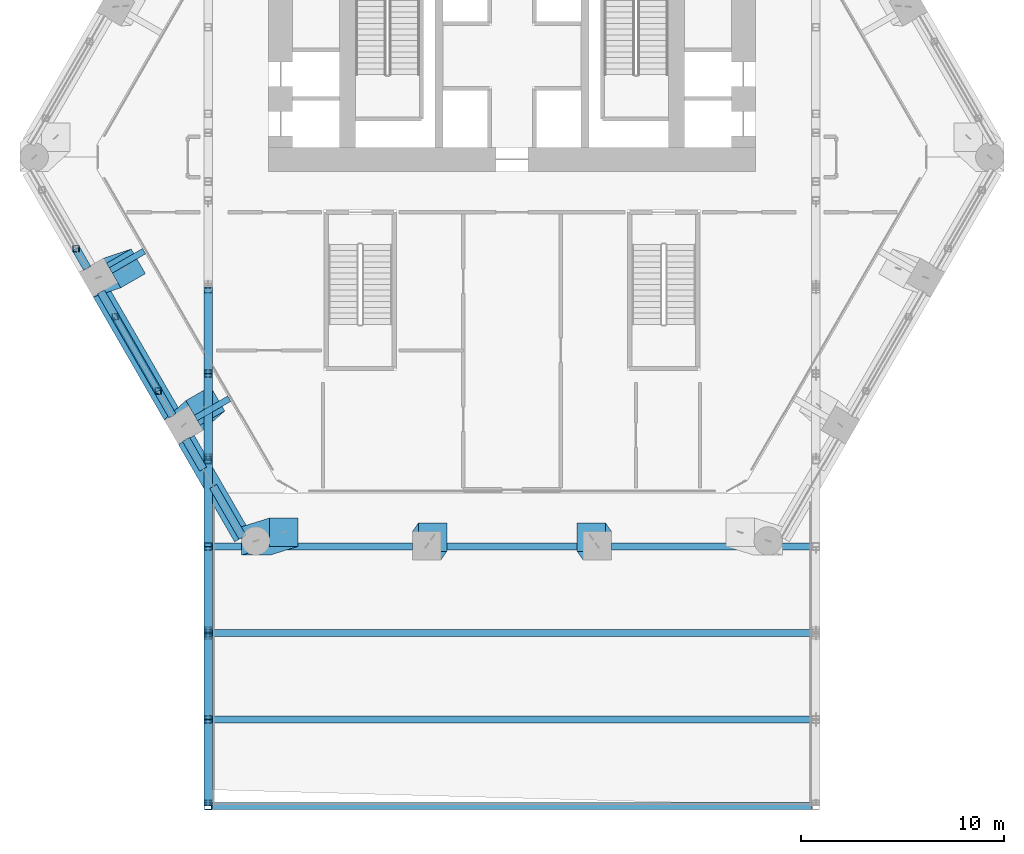
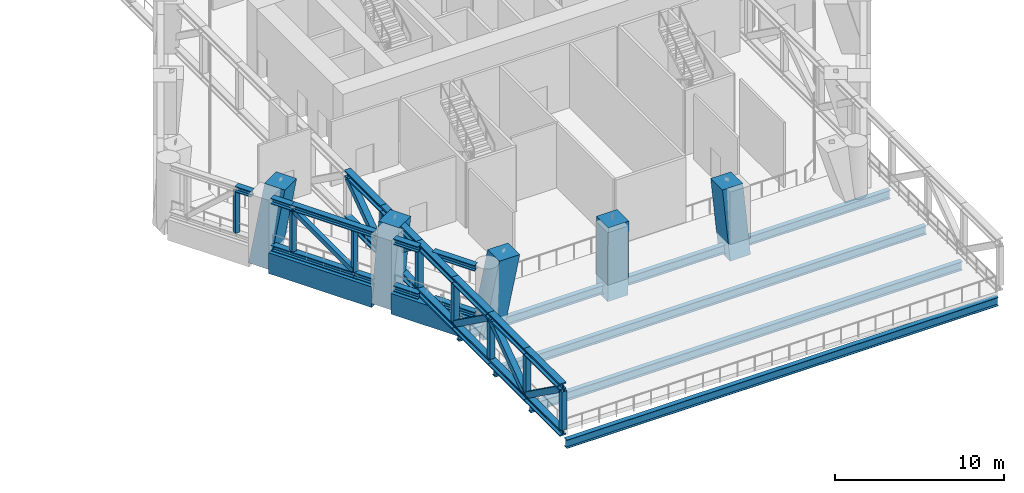
# One storey, part 2 of 20: 41 members, 8 beams.
"""IFC4 building model written with IfcOpenShell, lengths in metres."""

from ifc_helpers import new_model, si_unit, direction, frame, origin, origin_2d, place, context, subcontext, project, spatial, rectangle, hollow_rectangle, i_section, extrude, material, material_profile, profile_set, type_object, element, save


model = new_model("IFC4")

# Units and contexts
model_context = context("Model", 3, precision=1e-05, world=origin(), true_north=direction((0.0, 1.0)))
body_context = subcontext(model_context, "Body", "Model", "MODEL_VIEW")
ifc_project = project(units=[si_unit("LENGTHUNIT", "METRE"), si_unit("AREAUNIT", "SQUARE_METRE"), si_unit("VOLUMEUNIT", "CUBIC_METRE"), si_unit("PLANEANGLEUNIT", "RADIAN"), si_unit("MASSUNIT", "GRAM", prefix="KILO")], contexts=[model_context])

# Site, building, storey
site_placement = place(None, origin())
site = spatial("IfcSite", under=ifc_project, at=site_placement, CompositionType="ELEMENT")
building_placement = place(site_placement, origin())
building = spatial("IfcBuilding", under=site, at=building_placement, Name="Ostrander Bayou Hotel Tower", CompositionType="ELEMENT")
storey_placement = place(building_placement, frame((0.0, 0.0, 80.5)))
storey = spatial("IfcBuildingStorey", under=building, at=storey_placement, Name="L20", CompositionType="ELEMENT", Elevation=80.5)

# Members
ifc_material_1 = material(Name="Steel ASTM A992", Category="steel")
ifc_material_profile_1 = material_profile(ifc_material_1, i_section(OverallWidth=0.403564453125, OverallDepth=0.407470703125, WebThickness=0.027099609375, FlangeThickness=0.043701171875, at=origin_2d()))
ifc_profile_set_1 = profile_set([ifc_material_profile_1], Name="Steel ASTM A992")
member_type_1 = type_object("IfcMemberType", Name="BT1 belt truss chord W14x233", PredefinedType="CHORD", material=ifc_profile_set_1)
member_1_placement = place(storey_placement, frame((-21.479248046875, -5.49658203125, 3.59619140625), z_axis=(0.499886869675, -0.866090709757, 0.0), x_axis=(0.866090709757, 0.499886869675, 0.0)))
element("IfcMember", 1, at=member_1_placement, inside=storey, type_object=member_type_1, Name="BT1 L20 SW-1T2", PredefinedType="CHORD", context=body_context, shape_type="SweptSolid", body=[
    extrude(i_section(OverallWidth=0.403564453125, OverallDepth=0.407470703125, WebThickness=0.027099609375, FlangeThickness=0.043701171875, at=origin_2d()), origin(), (0.0, 0.0, 1.0), 1.114013671875),
])
member_2_placement = place(storey_placement, frame((-20.252197265625, -7.621826171875, 0.20361328125), z_axis=(0.499993457821, -0.866029180881, 0.0), x_axis=(0.866029180881, 0.499993457821, 0.0)))
element("IfcMember", 2, at=member_2_placement, inside=storey, type_object=member_type_1, Name="BT1 L20 SW-2B1", PredefinedType="CHORD", context=body_context, shape_type="SweptSolid", body=[
    extrude(i_section(OverallWidth=0.403564453125, OverallDepth=0.407470703125, WebThickness=0.027099609375, FlangeThickness=0.043701171875, at=origin_2d()), origin(), (0.0, 0.0, 1.0), 5.640625),
])
member_3_placement = place(storey_placement, frame((-17.431884765625, -12.5068359375, 0.20361328125), z_axis=(0.500012199891, -0.86601836006, 0.0), x_axis=(0.86601836006, 0.500012199891, 0.0)))
element("IfcMember", 3, at=member_3_placement, inside=storey, type_object=member_type_1, Name="BT1 L20 SW-2B2", PredefinedType="CHORD", context=body_context, shape_type="SweptSolid", body=[
    extrude(i_section(OverallWidth=0.403564453125, OverallDepth=0.407470703125, WebThickness=0.027099609375, FlangeThickness=0.043701171875, at=origin_2d()), origin(), (0.0, 0.0, 1.0), 1.41015625),
])
member_4_placement = place(storey_placement, frame((-20.252197265625, -7.621826171875, 3.59619140625), z_axis=(0.499882334327, -0.866093327435, 0.0), x_axis=(0.866093327435, 0.499882334327, 0.0)))
element("IfcMember", 4, at=member_4_placement, inside=storey, type_object=member_type_1, Name="BT1 L20 SW-2T1", PredefinedType="CHORD", context=body_context, shape_type="SweptSolid", body=[
    extrude(i_section(OverallWidth=0.403564453125, OverallDepth=0.407470703125, WebThickness=0.027099609375, FlangeThickness=0.043701171875, at=origin_2d()), origin(), (0.0, 0.0, 1.0), 1.409912109375),
])
member_5_placement = place(storey_placement, frame((-19.54736328125, -8.843017578125, 3.59619140625), z_axis=(0.500025918537, -0.866010439193, 0.0), x_axis=(0.866010439193, 0.500025918537, 0.0)))
element("IfcMember", 5, at=member_5_placement, inside=storey, type_object=member_type_1, Name="BT1 L20 SW-2T2", PredefinedType="CHORD", context=body_context, shape_type="SweptSolid", body=[
    extrude(i_section(OverallWidth=0.403564453125, OverallDepth=0.407470703125, WebThickness=0.027099609375, FlangeThickness=0.043701171875, at=origin_2d()), origin(), (0.0, 0.0, 1.0), 5.640869140625),
])
member_6_placement = place(storey_placement, frame((-16.056884765625, -14.888671875, 0.20361328125), z_axis=(0.500034746016, -0.866005342234, 0.0), x_axis=(0.866005342234, 0.500034746016, 0.0)))
element("IfcMember", 6, at=member_6_placement, inside=storey, type_object=member_type_1, Name="BT1 L20 SW-3B1", PredefinedType="CHORD", context=body_context, shape_type="SweptSolid", body=[
    extrude(i_section(OverallWidth=0.403564453125, OverallDepth=0.407470703125, WebThickness=0.027099609375, FlangeThickness=0.043701171875, at=origin_2d()), origin(), (0.0, 0.0, 1.0), 1.69189453125),
])
member_7_placement = place(storey_placement, frame((-14.718994140625, -17.2060546875, 0.20361328125), z_axis=(0.499968328965, -0.866043688293, 0.0), x_axis=(0.866043688293, 0.499968328965, 0.0)))
element("IfcMember", 7, at=member_7_placement, inside=storey, type_object=member_type_1, Name="BT1 L20 SW-3B2", PredefinedType="CHORD", context=body_context, shape_type="SweptSolid", body=[
    extrude(i_section(OverallWidth=0.403564453125, OverallDepth=0.407470703125, WebThickness=0.027099609375, FlangeThickness=0.043701171875, at=origin_2d()), origin(), (0.0, 0.0, 1.0), 2.893798828125),
])
member_8_placement = place(storey_placement, frame((-16.056884765625, -14.888671875, 3.59619140625), z_axis=(0.500034746016, -0.866005342234, 0.0), x_axis=(0.866005342234, 0.500034746016, 0.0)))
element("IfcMember", 8, at=member_8_placement, inside=storey, type_object=member_type_1, Name="BT1 L20 SW-3T1", PredefinedType="CHORD", context=body_context, shape_type="SweptSolid", body=[
    extrude(i_section(OverallWidth=0.403564453125, OverallDepth=0.407470703125, WebThickness=0.027099609375, FlangeThickness=0.043701171875, at=origin_2d()), origin(), (0.0, 0.0, 1.0), 1.69189453125),
])
member_9_placement = place(storey_placement, frame((-14.718994140625, -17.2060546875, 3.59619140625), z_axis=(0.499968328965, -0.866043688293, 0.0), x_axis=(0.866043688293, 0.499968328965, 0.0)))
element("IfcMember", 9, at=member_9_placement, inside=storey, type_object=member_type_1, Name="BT1 L20 SW-3T2", PredefinedType="CHORD", context=body_context, shape_type="SweptSolid", body=[
    extrude(i_section(OverallWidth=0.403564453125, OverallDepth=0.407470703125, WebThickness=0.027099609375, FlangeThickness=0.043701171875, at=origin_2d()), origin(), (0.0, 0.0, 1.0), 2.893798828125),
])
ifc_material_2 = material(Name="Steel ASTM A572 Gr 50", Category="steel")
ifc_material_profile_2 = material_profile(ifc_material_2, hollow_rectangle(XDim=0.3046875, YDim=0.3046875, WallThickness=0.017822265625, at=origin_2d()))
ifc_profile_set_2 = profile_set([ifc_material_profile_2], Name="Steel ASTM A572 Gr 50")
member_type_2 = type_object("IfcMemberType", Name="BT2 belt truss diagonal box 12 x 12 x 3/4", PredefinedType="BRACE", material=ifc_profile_set_2)
member_10_placement = place(storey_placement, frame((-17.431884765625, -12.5068359375, 0.407470703125), z_axis=(-0.408566541898, 0.707600472506, 0.5765196893), x_axis=(-0.866007799064, -0.50003049103, 0.0)))
element("IfcMember", 10, at=member_10_placement, inside=storey, type_object=member_type_2, Name="BT2 L20 SW-2D", PredefinedType="BRACE", context=body_context, shape_type="SweptSolid", body=[
    extrude(hollow_rectangle(XDim=0.3046875, YDim=0.3046875, WallThickness=0.017822265625, at=origin_2d()), origin(), (0.0, 0.0, 1.0), 5.177734375),
])
ifc_material_3 = material(Name="Steel ASTM A500 Gr C", Category="steel")
ifc_material_profile_3 = material_profile(ifc_material_3, hollow_rectangle(XDim=0.3046875, YDim=0.3046875, WallThickness=0.0146484375, at=origin_2d()))
ifc_profile_set_3 = profile_set([ifc_material_profile_3], Name="Steel ASTM A500 Gr C")
member_type_3 = type_object("IfcMemberType", Name="BT7 belt truss vertical HSS12x12x5/8", PredefinedType="POST", material=ifc_profile_set_3)
for number, where, z_axis, x_axis, name in (
    (11, (-21.479248046875, -5.49658203125, 0.407470703125), (0.0, 0.0, 1.0), (1.0, 0.0, 0.0), "BT7 L20 SW-1V2"),
    (12, (-19.54736328125, -8.843017578125, 0.407470703125), (0.0, 0.0, 1.0), (1.0, 0.0, 0.0), "BT7 L20 SW-2V1"),
    (13, (-17.431884765625, -12.5068359375, 0.407470703125), (0.0, 0.0, 1.0), (1.0, 0.0, 0.0), "BT7 L20 SW-2V2"),
):
    element("IfcMember", number, at=place(storey_placement, frame(where, z_axis=z_axis, x_axis=x_axis)), inside=storey, type_object=member_type_3, Name=name, PredefinedType="POST", context=body_context, shape_type="SweptSolid", body=[
        extrude(hollow_rectangle(XDim=0.3046875, YDim=0.3046875, WallThickness=0.0146484375, at=origin_2d()), origin(), (0.0, 0.0, 1.0), 2.985107421875),
    ])
ifc_material_4 = material(Name="Concrete f'c 70 MPa", Category="concrete")
ifc_material_profile_4 = material_profile(ifc_material_4, rectangle(XDim=1.39990234375, YDim=1.39990234375, at=origin_2d()))
ifc_profile_set_4 = profile_set([ifc_material_profile_4], Name="Concrete f'c 70 MPa")
member_type_4 = type_object("IfcMemberType", Name="KC1 kinked column 1400 x 1400 mm f'c 70 MPa", PredefinedType="STRUT", material=ifc_profile_set_4)
member_11_placement = place(storey_placement, frame((-12.617431640625, -19.890380859375, -1.199951171875), z_axis=(0.0, 0.0, 1.0), x_axis=(1.0, 0.0, 0.0)))
element("IfcMember", 14, at=member_11_placement, inside=storey, type_object=member_type_4, Name="KC1 L20 K2", PredefinedType="STRUT", context=body_context, shape_type="SweptSolid", body=[
    extrude(rectangle(XDim=1.39990234375, YDim=1.39990234375, at=origin_2d()), origin(), (0.265638365139, 0.082918190248, 0.960500303328), 5.20556640625),
])
member_12_placement = place(storey_placement, frame((-20.370849609375, -6.916748046875, -1.199951171875), z_axis=(0.0, 0.0, 1.0), x_axis=(-0.5, 0.866025403784, 0.0)))
element("IfcMember", 15, at=member_12_placement, inside=storey, type_object=member_type_4, Name="KC1 L20 SW1", PredefinedType="STRUT", context=body_context, shape_type="SweptSolid", body=[
    extrude(rectangle(XDim=1.39990234375, YDim=1.39990234375, at=origin_2d()), origin(), (-0.055511391563, -0.269196894872, 0.961484018171), 5.2001953125),
])
member_13_placement = place(storey_placement, frame((-16.17529296875, -14.183349609375, -1.199951171875), z_axis=(0.0, 0.0, 1.0), x_axis=(-0.5, 0.866025403784, 0.0)))
element("IfcMember", 16, at=member_13_placement, inside=storey, type_object=member_type_4, Name="KC1 L20 SW2", PredefinedType="STRUT", context=body_context, shape_type="SweptSolid", body=[
    extrude(rectangle(XDim=1.39990234375, YDim=1.39990234375, at=origin_2d()), origin(), (0.055525305196, -0.269174568113, 0.96148946555), 5.2001953125),
])
member_14_placement = place(storey_placement, frame((-4.1953125, -20.1181640625, -1.199951171875), z_axis=(0.0, 0.0, 1.0), x_axis=(-1.0, 0.0, 0.0)))
element("IfcMember", 17, at=member_14_placement, inside=storey, type_object=member_type_4, Name="KC1 L20 S1", PredefinedType="STRUT", context=body_context, shape_type="SweptSolid", body=[
    extrude(rectangle(XDim=1.39990234375, YDim=1.39990234375, at=origin_2d()), origin(), (-0.057419119246, -0.083214002765, 0.994876110121), 5.025634765625),
])
member_15_placement = place(storey_placement, frame((4.1953125, -20.1181640625, -1.199951171875), z_axis=(0.0, 0.0, 1.0), x_axis=(-1.0, 0.0, 0.0)))
element("IfcMember", 18, at=member_15_placement, inside=storey, type_object=member_type_4, Name="KC1 L20 S2", PredefinedType="STRUT", context=body_context, shape_type="SweptSolid", body=[
    extrude(rectangle(XDim=1.39990234375, YDim=1.39990234375, at=origin_2d()), origin(), (0.057419119246, -0.083214002765, 0.994876110121), 5.025634765625),
])

# Beams
ifc_material_5 = material(Name="Steel ASTM A992", Category="steel")
ifc_material_profile_5 = material_profile(ifc_material_5, i_section(OverallWidth=0.3046875, OverallDepth=0.307861328125, WebThickness=0.010009765625, FlangeThickness=0.015380859375, at=origin_2d()))
ifc_profile_set_5 = profile_set([ifc_material_profile_5], Name="Steel ASTM A992")
beam_type_1 = type_object("IfcBeamType", Name="LB1 loggia bracket W12x65", PredefinedType="BEAM", material=ifc_profile_set_5)
beam_1_placement = place(storey_placement, frame((-19.7646484375, -6.566650390625, -0.453857421875), z_axis=(0.866044365799, 0.499967155389, 0.0), x_axis=(-0.499967155389, 0.866044365799, 0.0)))
element("IfcBeam", 19, at=beam_1_placement, inside=storey, type_object=beam_type_1, Name="LB1 L20 SW1", PredefinedType="BEAM", context=body_context, shape_type="SweptSolid", body=[
    extrude(i_section(OverallWidth=0.3046875, OverallDepth=0.307861328125, WebThickness=0.010009765625, FlangeThickness=0.015380859375, at=origin_2d()), origin(), (0.0, 0.0, 1.0), 1.900146484375),
])
beam_2_placement = place(storey_placement, frame((-15.569091796875, -13.833251953125, -0.453857421875), z_axis=(0.86601224135, 0.500022797313, 0.0), x_axis=(-0.500022797313, 0.86601224135, 0.0)))
element("IfcBeam", 20, at=beam_2_placement, inside=storey, type_object=beam_type_1, Name="LB1 L20 SW2", PredefinedType="BEAM", context=body_context, shape_type="SweptSolid", body=[
    extrude(i_section(OverallWidth=0.3046875, OverallDepth=0.307861328125, WebThickness=0.010009765625, FlangeThickness=0.015380859375, at=origin_2d()), origin(), (0.0, 0.0, 1.0), 1.89990234375),
])
ifc_material_6 = material(Name="Concrete f'c 70 MPa", Category="concrete")
ifc_material_profile_6 = material_profile(ifc_material_6, rectangle(XDim=0.89990234375, YDim=1.5, at=origin_2d()))
ifc_profile_set_6 = profile_set([ifc_material_profile_6], Name="Concrete f'c 70 MPa")
beam_type_2 = type_object("IfcBeamType", Name="SPB1 belt spandrel beam 900 x 1500 mm f'c 70 MPa", PredefinedType="SPANDREL", material=ifc_profile_set_6)
beam_3_placement = place(storey_placement, frame((-20.252197265625, -7.621826171875, -0.75), z_axis=(0.499997206141, -0.866027016814, 0.0), x_axis=(0.866027016814, 0.499997206141, 0.0)))
element("IfcBeam", 21, at=beam_3_placement, inside=storey, type_object=beam_type_2, Name="SP1 L20 SW-2", PredefinedType="SPANDREL", context=body_context, shape_type="SweptSolid", body=[
    extrude(rectangle(XDim=0.89990234375, YDim=1.5, at=origin_2d()), origin(), (0.0, 0.0, 1.0), 7.05078125),
])
beam_4_placement = place(storey_placement, frame((-16.056884765625, -14.888671875, -0.75), z_axis=(0.499976681983, -0.866038866029, 0.0), x_axis=(0.866038866029, 0.499976681983, 0.0)))
element("IfcBeam", 22, at=beam_4_placement, inside=storey, type_object=beam_type_2, Name="SP1 L20 SW-3", PredefinedType="SPANDREL", context=body_context, shape_type="SweptSolid", body=[
    extrude(rectangle(XDim=0.89990234375, YDim=1.5, at=origin_2d()), origin(), (0.0, 0.0, 1.0), 5.569580078125),
])
ifc_material_7 = material(Name="Steel ASTM A992", Category="steel")
ifc_material_profile_7 = material_profile(ifc_material_7, i_section(OverallWidth=0.32763671875, OverallDepth=0.621826171875, WebThickness=0.015380859375, FlangeThickness=0.0244140625, at=origin_2d()))
ifc_profile_set_7 = profile_set([ifc_material_profile_7], Name="Steel ASTM A992")
beam_type_3 = type_object("IfcBeamType", Name="TF1 bar floor beam W24x131", PredefinedType="BEAM", material=ifc_profile_set_7)
for number, where, z_axis, x_axis, name in (
    (23, (-14.787109375, -20.162841796875, -0.61083984375), (1.0, 0.0, 0.0), (0.0, 1.0, 0.0), "TF1 SB1S L5-1"),
    (24, (-14.787109375, -24.42529296875, -0.61083984375), (1.0, 0.0, 0.0), (0.0, 1.0, 0.0), "TF1 SB1S L5-2"),
    (25, (-14.787109375, -28.6875, -0.61083984375), (1.0, 0.0, 0.0), (0.0, 1.0, 0.0), "TF1 SB1S L5-3"),
    (26, (-14.787109375, -32.949951171875, -0.61083984375), (1.0, 0.0, 0.0), (0.0, 1.0, 0.0), "TF1 SB1S L5-4"),
):
    element("IfcBeam", number, at=place(storey_placement, frame(where, z_axis=z_axis, x_axis=x_axis)), inside=storey, type_object=beam_type_3, Name=name, PredefinedType="BEAM", context=body_context, shape_type="SweptSolid", body=[
        extrude(i_section(OverallWidth=0.32763671875, OverallDepth=0.621826171875, WebThickness=0.015380859375, FlangeThickness=0.0244140625, at=origin_2d()), origin(), (0.0, 0.0, 1.0), 29.57421875),
    ])

# Members
ifc_material_8 = material(Name="Steel ASTM A992", Category="steel")
ifc_material_profile_8 = material_profile(ifc_material_8, i_section(OverallWidth=0.43212890625, OverallDepth=0.497802734375, WebThickness=0.0556640625, FlangeThickness=0.0888671875, at=origin_2d()))
ifc_profile_set_8 = profile_set([ifc_material_profile_8], Name="Steel ASTM A992")
member_type_5 = type_object("IfcMemberType", Name="TT1 through-truss chord W14x500", PredefinedType="CHORD", material=ifc_profile_set_8)
for number, where, z_axis, x_axis, name in (
    (27, (-14.965087890625, -7.37548828125, 0.248779296875), (0.0, -1.0, 0.0), (1.0, 0.0, 0.0), "TT1 SB1A B10"),
    (28, (-14.965087890625, -7.37548828125, 3.551025390625), (0.0, -1.0, 0.0), (1.0, 0.0, 0.0), "TT1 SB1A T10"),
    (29, (-14.965087890625, -11.637939453125, 0.248779296875), (0.0, -1.0, 0.0), (1.0, 0.0, 0.0), "TT1 SB1A B11"),
    (30, (-14.965087890625, -11.637939453125, 3.551025390625), (0.0, -1.0, 0.0), (1.0, 0.0, 0.0), "TT1 SB1A T11"),
    (31, (-14.965087890625, -15.900390625, 0.248779296875), (0.0, -1.0, 0.0), (1.0, 0.0, 0.0), "TT1 SB1A B12"),
    (32, (-14.965087890625, -15.900390625, 3.551025390625), (0.0, -1.0, 0.0), (1.0, 0.0, 0.0), "TT1 SB1A T12"),
    (33, (-14.965087890625, -20.162841796875, 0.248779296875), (0.0, -1.0, 0.0), (1.0, 0.0, 0.0), "TT1 SB1A B13"),
    (34, (-14.965087890625, -20.162841796875, 3.551025390625), (0.0, -1.0, 0.0), (1.0, 0.0, 0.0), "TT1 SB1A T13"),
):
    element("IfcMember", number, at=place(storey_placement, frame(where, z_axis=z_axis, x_axis=x_axis)), inside=storey, type_object=member_type_5, Name=name, PredefinedType="CHORD", context=body_context, shape_type="SweptSolid", body=[
        extrude(i_section(OverallWidth=0.43212890625, OverallDepth=0.497802734375, WebThickness=0.0556640625, FlangeThickness=0.0888671875, at=origin_2d()), origin(), (0.0, 0.0, 1.0), 4.262451171875),
    ])
for number, where, z_axis, x_axis, name in (
    (35, (-14.965087890625, -24.42529296875, 0.248779296875), (0.0, -1.0, 0.0), (1.0, 0.0, 0.0), "TT1 SB1A B14"),
    (36, (-14.965087890625, -24.42529296875, 3.551025390625), (0.0, -1.0, 0.0), (1.0, 0.0, 0.0), "TT1 SB1A T14"),
):
    element("IfcMember", number, at=place(storey_placement, frame(where, z_axis=z_axis, x_axis=x_axis)), inside=storey, type_object=member_type_5, Name=name, PredefinedType="CHORD", context=body_context, shape_type="SweptSolid", body=[
        extrude(i_section(OverallWidth=0.43212890625, OverallDepth=0.497802734375, WebThickness=0.0556640625, FlangeThickness=0.0888671875, at=origin_2d()), origin(), (0.0, 0.0, 1.0), 4.26220703125),
    ])
for number, where, z_axis, x_axis, name in (
    (37, (-14.965087890625, -28.6875, 0.248779296875), (0.0, -1.0, 0.0), (1.0, 0.0, 0.0), "TT1 SB1A B15"),
    (38, (-14.965087890625, -28.6875, 3.551025390625), (0.0, -1.0, 0.0), (1.0, 0.0, 0.0), "TT1 SB1A T15"),
):
    element("IfcMember", number, at=place(storey_placement, frame(where, z_axis=z_axis, x_axis=x_axis)), inside=storey, type_object=member_type_5, Name=name, PredefinedType="CHORD", context=body_context, shape_type="SweptSolid", body=[
        extrude(i_section(OverallWidth=0.43212890625, OverallDepth=0.497802734375, WebThickness=0.0556640625, FlangeThickness=0.0888671875, at=origin_2d()), origin(), (0.0, 0.0, 1.0), 4.262451171875),
    ])
ifc_material_9 = material(Name="Steel ASTM A500 Gr C", Category="steel")
ifc_material_profile_9 = material_profile(ifc_material_9, hollow_rectangle(XDim=0.355712890625, YDim=0.355712890625, WallThickness=0.0146484375, at=origin_2d()))
ifc_profile_set_9 = profile_set([ifc_material_profile_9], Name="Steel ASTM A500 Gr C")
member_type_6 = type_object("IfcMemberType", Name="TT2 through-truss post HSS14x14x5/8", PredefinedType="POST", material=ifc_profile_set_9)
for number, where, z_axis, x_axis, name in (
    (39, (-14.965087890625, -11.637939453125, 0.497802734375), (0.0, 0.0, 1.0), (1.0, 0.0, 0.0), "TT2 SB1A P11"),
    (40, (-14.965087890625, -15.900390625, 0.497802734375), (0.0, 0.0, 1.0), (1.0, 0.0, 0.0), "TT2 SB1A P12"),
    (41, (-14.965087890625, -20.162841796875, 0.497802734375), (0.0, 0.0, 1.0), (1.0, 0.0, 0.0), "TT2 SB1A P13"),
    (42, (-14.965087890625, -24.42529296875, 0.497802734375), (0.0, 0.0, 1.0), (1.0, 0.0, 0.0), "TT2 SB1A P14"),
    (43, (-14.965087890625, -28.6875, 0.497802734375), (0.0, 0.0, 1.0), (1.0, 0.0, 0.0), "TT2 SB1A P15"),
    (44, (-14.965087890625, -32.949951171875, 0.497802734375), (0.0, 0.0, 1.0), (1.0, 0.0, 0.0), "TT2 SB1A P16"),
):
    element("IfcMember", number, at=place(storey_placement, frame(where, z_axis=z_axis, x_axis=x_axis)), inside=storey, type_object=member_type_6, Name=name, PredefinedType="POST", context=body_context, shape_type="SweptSolid", body=[
        extrude(hollow_rectangle(XDim=0.355712890625, YDim=0.355712890625, WallThickness=0.0146484375, at=origin_2d()), origin(), (0.0, 0.0, 1.0), 2.804443359375),
    ])
ifc_material_10 = material(Name="Steel ASTM A572 Gr 50", Category="steel")
ifc_material_profile_10 = material_profile(ifc_material_10, hollow_rectangle(XDim=0.406494140625, YDim=0.406494140625, WallThickness=0.017822265625, at=origin_2d()))
ifc_profile_set_10 = profile_set([ifc_material_profile_10], Name="Steel ASTM A572 Gr 50")
member_type_7 = type_object("IfcMemberType", Name="TT3 through-truss diagonal box 16 x 16 x 3/4", PredefinedType="BRACE", material=ifc_profile_set_10)
member_16_placement = place(storey_placement, frame((-14.965087890625, -11.460205078125, 0.497802734375), z_axis=(0.0, 0.81237984577, 0.583128618906), x_axis=(-1.0, 0.0, 0.0)))
element("IfcMember", 45, at=member_16_placement, inside=storey, type_object=member_type_7, Name="TT3 SB1A D10", PredefinedType="BRACE", context=body_context, shape_type="SweptSolid", body=[
    extrude(hollow_rectangle(XDim=0.406494140625, YDim=0.406494140625, WallThickness=0.017822265625, at=origin_2d()), origin(), (0.0, 0.0, 1.0), 4.809326171875),
])
for number, where, z_axis, x_axis, name in (
    (46, (-14.965087890625, -11.815673828125, 0.497802734375), (0.0, -0.812362582887, 0.583152667768), (1.0, 0.0, 0.0), "TT3 SB1A D11"),
    (47, (-14.965087890625, -20.340576171875, 0.497802734375), (0.0, -0.812362582887, 0.583152667768), (1.0, 0.0, 0.0), "TT3 SB1A D13"),
    (48, (-14.965087890625, -28.509765625, 0.497802734375), (0.0, 0.812362582887, 0.583152667768), (-1.0, 0.0, 0.0), "TT3 SB1A D14"),
    (49, (-14.965087890625, -28.865478515625, 0.497802734375), (0.0, -0.812362582887, 0.583152667768), (1.0, 0.0, 0.0), "TT3 SB1A D15"),
):
    element("IfcMember", number, at=place(storey_placement, frame(where, z_axis=z_axis, x_axis=x_axis)), inside=storey, type_object=member_type_7, Name=name, PredefinedType="BRACE", context=body_context, shape_type="SweptSolid", body=[
        extrude(hollow_rectangle(XDim=0.406494140625, YDim=0.406494140625, WallThickness=0.017822265625, at=origin_2d()), origin(), (0.0, 0.0, 1.0), 4.80908203125),
    ])

save(model, "model.ifc")
